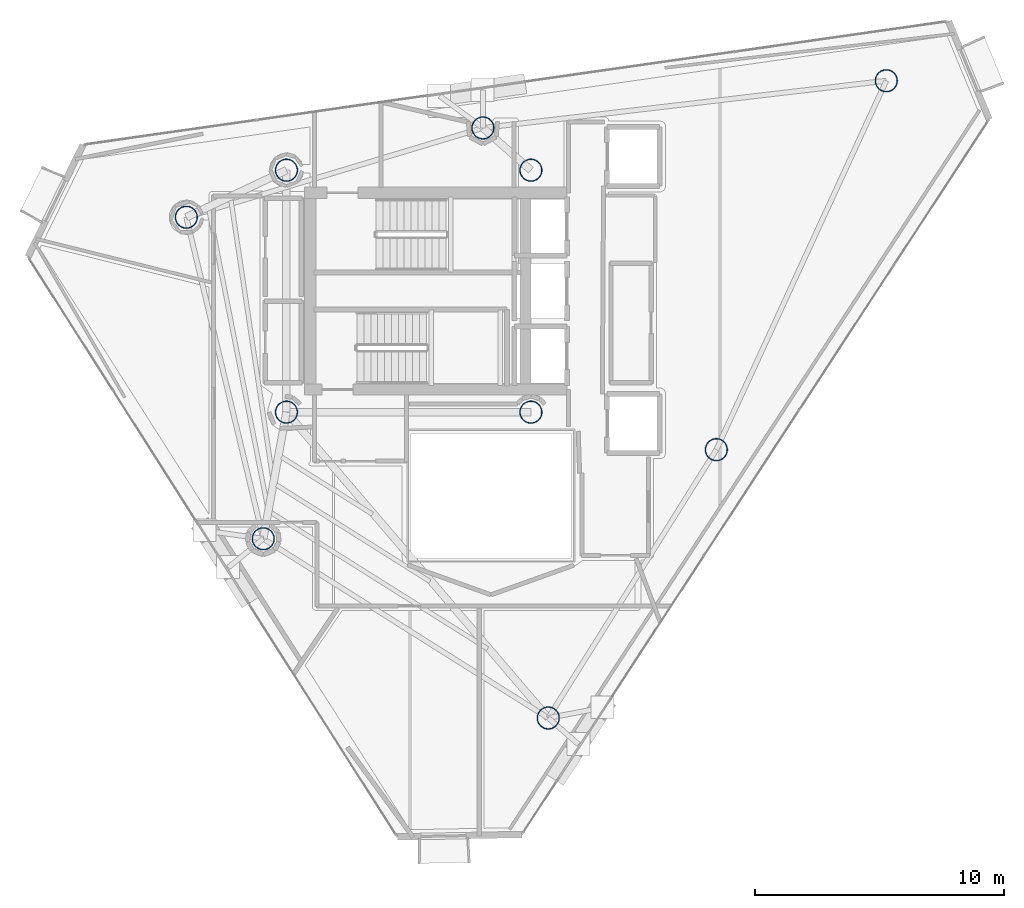
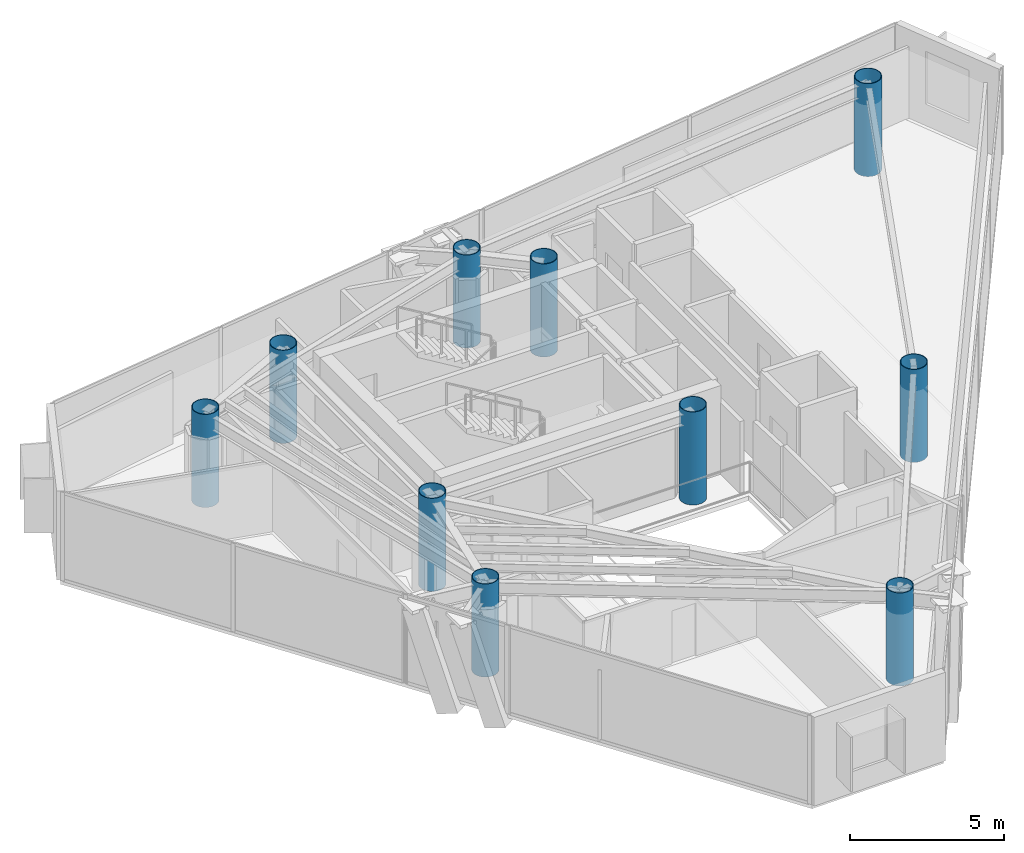
# One storey, part 1 of 25: 10 columns.
"""IFC4 building model written with IfcOpenShell, lengths in metres."""

from ifc_helpers import new_model, si_unit, direction, frame, origin, origin_2d, place, context, subcontext, project, spatial, hollow_circle, extrude, material, material_profile, profile_set, type_object, element, save


model = new_model("IFC4")

# Units and contexts
model_context = context("Model", 3, precision=1e-05, world=origin(), true_north=direction((0.0, 1.0)))
body_context = subcontext(model_context, "Body", "Model", "MODEL_VIEW")
ifc_project = project(units=[si_unit("LENGTHUNIT", "METRE"), si_unit("AREAUNIT", "SQUARE_METRE"), si_unit("VOLUMEUNIT", "CUBIC_METRE"), si_unit("PLANEANGLEUNIT", "RADIAN"), si_unit("MASSUNIT", "GRAM", prefix="KILO")], contexts=[model_context])

# Site, building, storey
site_placement = place(None, origin())
site = spatial("IfcSite", under=ifc_project, at=site_placement, CompositionType="ELEMENT")
building_placement = place(site_placement, origin())
building = spatial("IfcBuilding", under=site, at=building_placement, Name="Qianvela Tower", CompositionType="ELEMENT")
storey_placement = place(building_placement, frame((0.0, 0.0, 288.0)))
storey = spatial("IfcBuildingStorey", under=building, at=storey_placement, Name="L74", CompositionType="ELEMENT", Elevation=288.0)

# Columns
ifc_material = material(Name="Steel Q420GJC", Category="steel")
ifc_material_profile = material_profile(ifc_material, hollow_circle(Radius=0.449951171875, WallThickness=0.02490234375, at=origin_2d()), Name="CFT-900x25")
ifc_profile_set = profile_set([ifc_material_profile], Name="Steel Q420GJC")
column_type = type_object("IfcColumnType", Name="COL-CFT-900x25", PredefinedType="COLUMN", material=ifc_profile_set)
for number, where, z_axis, x_axis, name in (
    (1, (28.60009765625, 33.550048828125, 0.0), (0.0, 0.0, 1.0), (1.0, 0.0, 0.0), "L74 Core Corner Mega-Column CC-NW"),
    (2, (28.60009765625, 23.85009765625, 0.0), (0.0, 0.0, 1.0), (1.0, 0.0, 0.0), "L74 Core Corner Mega-Column CC-SW"),
    (3, (38.39990234375, 33.550048828125, 0.0), (0.0, 0.0, 1.0), (1.0, 0.0, 0.0), "L74 Core Corner Mega-Column CC-NE"),
    (4, (38.39990234375, 23.85009765625, 0.0), (0.0, 0.0, 1.0), (1.0, 0.0, 0.0), "L74 Core Corner Mega-Column CC-SE"),
    (5, (52.64794921875, 37.135009765625, 0.0), (0.0, 0.0, 1.0), (1.0, 0.0, 0.0), "L74 Zone Z7 CFT Mega-Column C1"),
    (6, (36.47607421875, 35.242919921875, 0.0), (0.0, 0.0, 1.0), (1.0, 0.0, 0.0), "L74 Zone Z7 CFT Mega-Column C2"),
    (7, (24.5869140625, 31.6630859375, 0.0), (0.0, 0.0, 1.0), (1.0, 0.0, 0.0), "L74 Zone Z7 CFT Mega-Column C3"),
    (8, (27.669921875, 18.77392578125, 0.0), (0.0, 0.0, 1.0), (1.0, 0.0, 0.0), "L74 Zone Z7 CFT Mega-Column C4"),
    (9, (39.095947265625, 11.587890625, 0.0), (0.0, 0.0, 1.0), (1.0, 0.0, 0.0), "L74 Zone Z7 CFT Mega-Column C5"),
    (10, (45.833984375, 22.344970703125, 0.0), (0.0, 0.0, 1.0), (1.0, 0.0, 0.0), "L74 Zone Z7 CFT Mega-Column C6"),
):
    element("IfcColumn", number, at=place(storey_placement, frame(where, z_axis=z_axis, x_axis=x_axis)), inside=storey, type_object=column_type, Name=name, PredefinedType="COLUMN", context=body_context, shape_type="SweptSolid", body=[
        extrude(hollow_circle(Radius=0.449951171875, WallThickness=0.02490234375, at=origin_2d()), origin(), (0.0, 0.0, 1.0), 3.699951171875),
    ])

save(model, "model.ifc")
